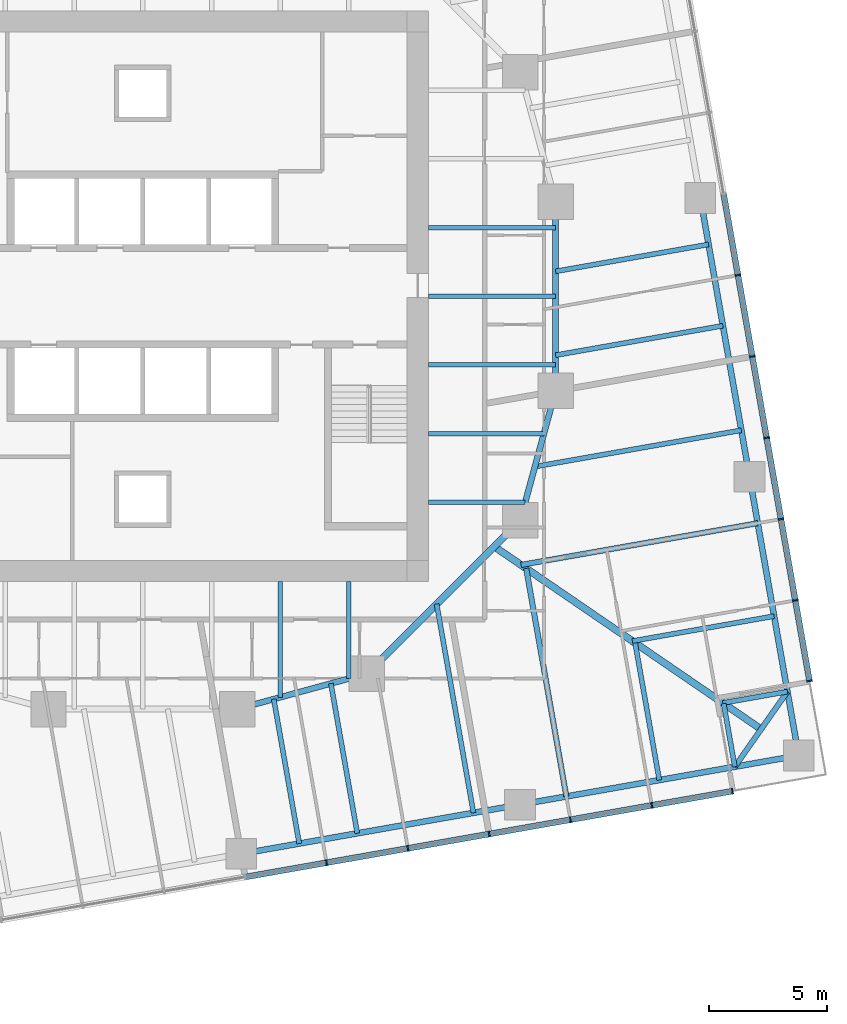
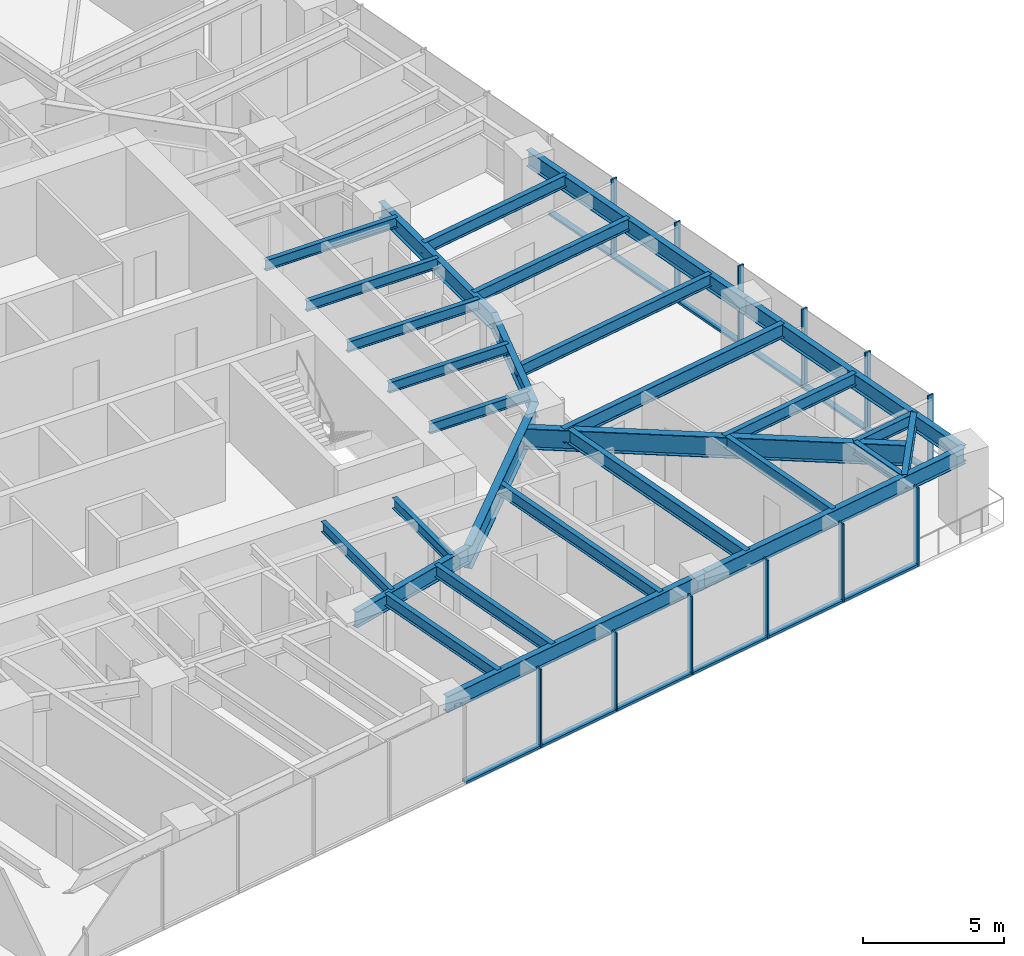
# One storey, part 4 of 14: 29 beams, 24 members, 2 elements without a shape of their own.
"""IFC4 building model written with IfcOpenShell, lengths in metres."""

from ifc_helpers import new_model, si_unit, direction, frame, origin, origin_2d, place, context, subcontext, project, spatial, rectangle, i_section, extrude, material, material_profile, profile_set, type_object, element, aggregate, save


model = new_model("IFC4")

# Units and contexts
model_context = context("Model", 3, precision=1e-05, world=origin(), true_north=direction((0.0, 1.0)))
body_context = subcontext(model_context, "Body", "Model", "MODEL_VIEW")
ifc_project = project(units=[si_unit("LENGTHUNIT", "METRE"), si_unit("AREAUNIT", "SQUARE_METRE"), si_unit("VOLUMEUNIT", "CUBIC_METRE"), si_unit("PLANEANGLEUNIT", "RADIAN"), si_unit("MASSUNIT", "GRAM", prefix="KILO")], contexts=[model_context])

# Site, building, storey
site_placement = place(None, origin())
site = spatial("IfcSite", under=ifc_project, at=site_placement, CompositionType="ELEMENT")
building_placement = place(site_placement, origin())
building = spatial("IfcBuilding", under=site, at=building_placement, Name="Torsade Residences", CompositionType="ELEMENT")
storey_placement = place(building_placement, frame((0.0, 0.0, 89.60009765625)))
storey = spatial("IfcBuildingStorey", under=building, at=storey_placement, Name="L24", CompositionType="ELEMENT", Elevation=89.60009765625)

# Beams
ifc_material_1 = material(Name="Steel grade 300", Category="steel")
ifc_material_profile_1 = material_profile(ifc_material_1, i_section(OverallWidth=0.300048828125, OverallDepth=0.89990234375, WebThickness=0.011962890625, FlangeThickness=0.02490234375, at=origin_2d()), Name="900WB175")
ifc_profile_set_1 = profile_set([ifc_material_profile_1], Name="Steel grade 300")
beam_type_1 = type_object("IfcBeamType", Name="CORNER GIRDER 900WB175", PredefinedType="BEAM", material=ifc_profile_set_1)
beam_1_placement = place(storey_placement, frame((66.2099609375, 11.6474609375, 2.7998046875), z_axis=(-0.825279313977, 0.564724759437, 0.0), x_axis=(-0.564724759437, -0.825279313977, 0.0)))
element("IfcBeam", 1, at=beam_1_placement, inside=storey, type_object=beam_type_1, Name="Corner girder 05 L25", PredefinedType="BEAM", context=body_context, shape_type="SweptSolid", body=[
    extrude(i_section(OverallWidth=0.300048828125, OverallDepth=0.89990234375, WebThickness=0.011962890625, FlangeThickness=0.02490234375, at=origin_2d()), origin(), (0.0, 0.0, 1.0), 13.7138671875),
])
ifc_material_2 = material(Name="Steel grade 300", Category="steel")
ifc_material_profile_2 = material_profile(ifc_material_2, i_section(OverallWidth=0.22802734375, OverallDepth=0.60205078125, WebThickness=0.010498046875, FlangeThickness=0.014892578125, FilletRadius=0.013916015625, at=origin_2d()), Name="610UB101")
ifc_profile_set_2 = profile_set([ifc_material_profile_2], Name="Steel grade 300")
beam_type_2 = type_object("IfcBeamType", Name="CORNER TRIMMER 610UB101", PredefinedType="BEAM", material=ifc_profile_set_2)
beam_2_placement = place(storey_placement, frame((67.325439453125, 13.240478515625, 2.948974609375), z_axis=(-0.573576092373, -0.819152285145, 0.0), x_axis=(0.819152285145, -0.573576092373, 0.0)))
element("IfcBeam", 2, at=beam_2_placement, inside=storey, type_object=beam_type_2, Name="Corner trimmer 05 L25", PredefinedType="BEAM", context=body_context, shape_type="SweptSolid", body=[
    extrude(i_section(OverallWidth=0.22802734375, OverallDepth=0.60205078125, WebThickness=0.010498046875, FlangeThickness=0.014892578125, FilletRadius=0.013916015625, at=origin_2d()), origin(), (0.0, 0.0, 1.0), 3.88916015625),
])

# Curtain wall, members
ifc_material_3 = material(Name="Aluminium and glass", Category="aluminium")
curtain_wall_type = type_object("IfcCurtainWallType", Name="FRITTED GLASS CURTAIN WALL LOW ZONE", PredefinedType="NOTDEFINED", material=ifc_material_3)
curtain_wall_1_placement = place(storey_placement, origin())
curtain_wall_1 = element("IfcCurtainWall", 3, at=curtain_wall_1_placement, inside=storey, type_object=curtain_wall_type, Name="Curtain wall L24 face 1", PredefinedType="NOTDEFINED")
ifc_material_4 = material(Name="Aluminium mullion", Category="aluminium")
ifc_material_profile_3 = material_profile(ifc_material_4, rectangle(XDim=0.25, YDim=0.06494140625, at=origin_2d()), Name="CURTAIN WALL MULLION 250x65")
ifc_profile_set_3 = profile_set([ifc_material_profile_3], Name="Aluminium mullion")
member_type_1 = type_object("IfcMemberType", Name="CURTAIN WALL MULLION 250x65", PredefinedType="MULLION", material=ifc_profile_set_3)
member_1_placement = place(storey_placement, frame((47.7880859375, 5.987548828125, 0.0), z_axis=(0.0, 0.0, 1.0), x_axis=(-0.173648192638, 0.984807750372, 0.0)))
member_1 = element("IfcMember", 4, at=member_1_placement, type_object=member_type_1, Name="Mullion 8", PredefinedType="MULLION", context=body_context, shape_type="SweptSolid", body=[
    extrude(rectangle(XDim=0.25, YDim=0.06494140625, at=origin_2d()), origin(), (0.0, 0.0, 1.0), 3.39990234375),
])
member_2_placement = place(storey_placement, frame((51.23486328125, 6.595458984375, 0.0), z_axis=(0.0, 0.0, 1.0), x_axis=(-0.173648192638, 0.984807750372, 0.0)))
member_2 = element("IfcMember", 5, at=member_2_placement, type_object=member_type_1, Name="Mullion 9", PredefinedType="MULLION", context=body_context, shape_type="SweptSolid", body=[
    extrude(rectangle(XDim=0.25, YDim=0.06494140625, at=origin_2d()), origin(), (0.0, 0.0, 1.0), 3.39990234375),
])
member_3_placement = place(storey_placement, frame((54.681640625, 7.203125, 0.0), z_axis=(0.0, 0.0, 1.0), x_axis=(-0.173648192638, 0.984807750372, 0.0)))
member_3 = element("IfcMember", 6, at=member_3_placement, type_object=member_type_1, Name="Mullion 10", PredefinedType="MULLION", context=body_context, shape_type="SweptSolid", body=[
    extrude(rectangle(XDim=0.25, YDim=0.06494140625, at=origin_2d()), origin(), (0.0, 0.0, 1.0), 3.39990234375),
])
member_4_placement = place(storey_placement, frame((58.12841796875, 7.810791015625, 0.0), z_axis=(0.0, 0.0, 1.0), x_axis=(-0.173648192638, 0.984807750372, 0.0)))
member_4 = element("IfcMember", 7, at=member_4_placement, type_object=member_type_1, Name="Mullion 11", PredefinedType="MULLION", context=body_context, shape_type="SweptSolid", body=[
    extrude(rectangle(XDim=0.25, YDim=0.06494140625, at=origin_2d()), origin(), (0.0, 0.0, 1.0), 3.39990234375),
])
member_5_placement = place(storey_placement, frame((61.575439453125, 8.418701171875, 0.0), z_axis=(0.0, 0.0, 1.0), x_axis=(-0.173648192638, 0.984807750372, 0.0)))
member_5 = element("IfcMember", 8, at=member_5_placement, type_object=member_type_1, Name="Mullion 12", PredefinedType="MULLION", context=body_context, shape_type="SweptSolid", body=[
    extrude(rectangle(XDim=0.25, YDim=0.06494140625, at=origin_2d()), origin(), (0.0, 0.0, 1.0), 3.39990234375),
])
member_6_placement = place(storey_placement, frame((64.990234375, 9.020751953125, 0.0), z_axis=(0.0, 0.0, 1.0), x_axis=(-0.173648192638, 0.984807750372, 0.0)))
member_6 = element("IfcMember", 9, at=member_6_placement, type_object=member_type_1, Name="Mullion 13", PredefinedType="MULLION", context=body_context, shape_type="SweptSolid", body=[
    extrude(rectangle(XDim=0.25, YDim=0.06494140625, at=origin_2d()), origin(), (0.0, 0.0, 1.0), 3.39990234375),
])

curtain_wall_2_placement = place(storey_placement, origin())
curtain_wall_2 = element("IfcCurtainWall", 10, at=curtain_wall_2_placement, inside=storey, type_object=curtain_wall_type, Name="Curtain wall L24 face 4", PredefinedType="NOTDEFINED")
member_7_placement = place(storey_placement, frame((68.26123046875, 13.692138671875, 0.0), z_axis=(0.0, 0.0, 1.0), x_axis=(-0.984807750372, -0.173648192638, 0.0)))
member_7 = element("IfcMember", 11, at=member_7_placement, type_object=member_type_1, Name="Mullion 1", PredefinedType="MULLION", context=body_context, shape_type="SweptSolid", body=[
    extrude(rectangle(XDim=0.25, YDim=0.06494140625, at=origin_2d()), origin(), (0.0, 0.0, 1.0), 3.39990234375),
])
member_8_placement = place(storey_placement, frame((67.658935546875, 17.107177734375, 0.0), z_axis=(0.0, 0.0, 1.0), x_axis=(-0.984807750372, -0.173648192638, 0.0)))
member_8 = element("IfcMember", 12, at=member_8_placement, type_object=member_type_1, Name="Mullion 2", PredefinedType="MULLION", context=body_context, shape_type="SweptSolid", body=[
    extrude(rectangle(XDim=0.25, YDim=0.06494140625, at=origin_2d()), origin(), (0.0, 0.0, 1.0), 3.39990234375),
])
member_9_placement = place(storey_placement, frame((67.05126953125, 20.553955078125, 0.0), z_axis=(0.0, 0.0, 1.0), x_axis=(-0.984807750372, -0.173648192638, 0.0)))
member_9 = element("IfcMember", 13, at=member_9_placement, type_object=member_type_1, Name="Mullion 3", PredefinedType="MULLION", context=body_context, shape_type="SweptSolid", body=[
    extrude(rectangle(XDim=0.25, YDim=0.06494140625, at=origin_2d()), origin(), (0.0, 0.0, 1.0), 3.39990234375),
])
member_10_placement = place(storey_placement, frame((66.443603515625, 24.000732421875, 0.0), z_axis=(0.0, 0.0, 1.0), x_axis=(-0.984807750372, -0.173648192638, 0.0)))
member_10 = element("IfcMember", 14, at=member_10_placement, type_object=member_type_1, Name="Mullion 4", PredefinedType="MULLION", context=body_context, shape_type="SweptSolid", body=[
    extrude(rectangle(XDim=0.25, YDim=0.06494140625, at=origin_2d()), origin(), (0.0, 0.0, 1.0), 3.39990234375),
])
member_11_placement = place(storey_placement, frame((65.835693359375, 27.447509765625, 0.0), z_axis=(0.0, 0.0, 1.0), x_axis=(-0.984807750372, -0.173648192638, 0.0)))
member_11 = element("IfcMember", 15, at=member_11_placement, type_object=member_type_1, Name="Mullion 5", PredefinedType="MULLION", context=body_context, shape_type="SweptSolid", body=[
    extrude(rectangle(XDim=0.25, YDim=0.06494140625, at=origin_2d()), origin(), (0.0, 0.0, 1.0), 3.39990234375),
])
member_12_placement = place(storey_placement, frame((65.22802734375, 30.894287109375, 0.0), z_axis=(0.0, 0.0, 1.0), x_axis=(-0.984807750372, -0.173648192638, 0.0)))
member_12 = element("IfcMember", 16, at=member_12_placement, type_object=member_type_1, Name="Mullion 6", PredefinedType="MULLION", context=body_context, shape_type="SweptSolid", body=[
    extrude(rectangle(XDim=0.25, YDim=0.06494140625, at=origin_2d()), origin(), (0.0, 0.0, 1.0), 3.39990234375),
])

# Member
ifc_material_5 = material(Name="Aluminium transom", Category="aluminium")
ifc_material_profile_4 = material_profile(ifc_material_5, rectangle(XDim=0.25, YDim=0.10009765625, at=origin_2d()), Name="CURTAIN WALL TRANSOM 250x100")
ifc_profile_set_4 = profile_set([ifc_material_profile_4], Name="Aluminium transom")
member_type_2 = type_object("IfcMemberType", Name="CURTAIN WALL TRANSOM 250x100", PredefinedType="USERDEFINED", material=ifc_profile_set_4)
member_13_placement = place(storey_placement, frame((44.373291015625, 5.385498046875, 0.0498046875), z_axis=(0.984810021497, 0.17363531196, 0.0), x_axis=(-0.17363531196, 0.984810021497, 0.0)))
member_13 = element("IfcMember", 17, at=member_13_placement, type_object=member_type_2, Name="Transom 7.1", ObjectType="TRANSOM", PredefinedType="USERDEFINED", context=body_context, shape_type="SweptSolid", body=[
    extrude(rectangle(XDim=0.25, YDim=0.10009765625, at=origin_2d()), origin(), (0.0, 0.0, 1.0), 3.43505859375),
])

member_14_placement = place(storey_placement, frame((47.820068359375, 5.9931640625, 0.0498046875), z_axis=(0.984810021497, 0.17363531196, 0.0), x_axis=(-0.17363531196, 0.984810021497, 0.0)))
member_14 = element("IfcMember", 18, at=member_14_placement, type_object=member_type_2, Name="Transom 8.1", ObjectType="TRANSOM", PredefinedType="USERDEFINED", context=body_context, shape_type="SweptSolid", body=[
    extrude(rectangle(XDim=0.25, YDim=0.10009765625, at=origin_2d()), origin(), (0.0, 0.0, 1.0), 3.43505859375),
])

member_15_placement = place(storey_placement, frame((51.266845703125, 6.60107421875, 0.0498046875), z_axis=(0.984810021497, 0.17363531196, 0.0), x_axis=(-0.17363531196, 0.984810021497, 0.0)))
member_15 = element("IfcMember", 19, at=member_15_placement, type_object=member_type_2, Name="Transom 9.1", ObjectType="TRANSOM", PredefinedType="USERDEFINED", context=body_context, shape_type="SweptSolid", body=[
    extrude(rectangle(XDim=0.25, YDim=0.10009765625, at=origin_2d()), origin(), (0.0, 0.0, 1.0), 3.43505859375),
])

member_16_placement = place(storey_placement, frame((54.713623046875, 7.208740234375, 0.0498046875), z_axis=(0.984810021497, 0.17363531196, 0.0), x_axis=(-0.17363531196, 0.984810021497, 0.0)))
member_16 = element("IfcMember", 20, at=member_16_placement, type_object=member_type_2, Name="Transom 10.1", ObjectType="TRANSOM", PredefinedType="USERDEFINED", context=body_context, shape_type="SweptSolid", body=[
    extrude(rectangle(XDim=0.25, YDim=0.10009765625, at=origin_2d()), origin(), (0.0, 0.0, 1.0), 3.43505859375),
])

member_17_placement = place(storey_placement, frame((58.160400390625, 7.81640625, 0.0498046875), z_axis=(0.98479786563, 0.173704242465, 0.0), x_axis=(-0.173704242465, 0.98479786563, 0.0)))
member_17 = element("IfcMember", 21, at=member_17_placement, type_object=member_type_2, Name="Transom 11.1", ObjectType="TRANSOM", PredefinedType="USERDEFINED", context=body_context, shape_type="SweptSolid", body=[
    extrude(rectangle(XDim=0.25, YDim=0.10009765625, at=origin_2d()), origin(), (0.0, 0.0, 1.0), 3.43505859375),
])

member_18_placement = place(storey_placement, frame((61.607421875, 8.42431640625, 0.0498046875), z_axis=(0.984808830466, 0.173642067011, 0.0), x_axis=(-0.173642067011, 0.984808830466, 0.0)))
member_18 = element("IfcMember", 22, at=member_18_placement, type_object=member_type_2, Name="Transom 12.1", ObjectType="TRANSOM", PredefinedType="USERDEFINED", context=body_context, shape_type="SweptSolid", body=[
    extrude(rectangle(XDim=0.25, YDim=0.10009765625, at=origin_2d()), origin(), (0.0, 0.0, 1.0), 3.402587890625),
])

aggregate(curtain_wall_1, [member_1, member_2, member_3, member_4, member_5, member_6, member_13, member_14, member_15, member_16, member_17, member_18])

member_19_placement = place(storey_placement, frame((68.255615234375, 13.724365234375, 0.0498046875), z_axis=(-0.173654337918, 0.984806666774, 0.0), x_axis=(-0.984806666774, -0.173654337918, 0.0)))
member_19 = element("IfcMember", 23, at=member_19_placement, type_object=member_type_2, Name="Transom 1.1", ObjectType="TRANSOM", PredefinedType="USERDEFINED", context=body_context, shape_type="SweptSolid", body=[
    extrude(rectangle(XDim=0.25, YDim=0.10009765625, at=origin_2d()), origin(), (0.0, 0.0, 1.0), 3.40234375),
])

member_20_placement = place(storey_placement, frame((67.6533203125, 17.13916015625, 0.0498046875), z_axis=(-0.17363531196, 0.984810021497, 0.0), x_axis=(-0.984810021497, -0.17363531196, 0.0)))
member_20 = element("IfcMember", 24, at=member_20_placement, type_object=member_type_2, Name="Transom 2.1", ObjectType="TRANSOM", PredefinedType="USERDEFINED", context=body_context, shape_type="SweptSolid", body=[
    extrude(rectangle(XDim=0.25, YDim=0.10009765625, at=origin_2d()), origin(), (0.0, 0.0, 1.0), 3.43505859375),
])

member_21_placement = place(storey_placement, frame((67.045654296875, 20.5859375, 0.0498046875), z_axis=(-0.17363531196, 0.984810021497, 0.0), x_axis=(-0.984810021497, -0.17363531196, 0.0)))
member_21 = element("IfcMember", 25, at=member_21_placement, type_object=member_type_2, Name="Transom 3.1", ObjectType="TRANSOM", PredefinedType="USERDEFINED", context=body_context, shape_type="SweptSolid", body=[
    extrude(rectangle(XDim=0.25, YDim=0.10009765625, at=origin_2d()), origin(), (0.0, 0.0, 1.0), 3.43505859375),
])

member_22_placement = place(storey_placement, frame((66.437744140625, 24.03271484375, 0.0498046875), z_axis=(-0.17363531196, 0.984810021497, 0.0), x_axis=(-0.984810021497, -0.17363531196, 0.0)))
member_22 = element("IfcMember", 26, at=member_22_placement, type_object=member_type_2, Name="Transom 4.1", ObjectType="TRANSOM", PredefinedType="USERDEFINED", context=body_context, shape_type="SweptSolid", body=[
    extrude(rectangle(XDim=0.25, YDim=0.10009765625, at=origin_2d()), origin(), (0.0, 0.0, 1.0), 3.43505859375),
])

member_23_placement = place(storey_placement, frame((65.830078125, 27.4794921875, 0.0498046875), z_axis=(-0.17363531196, 0.984810021497, 0.0), x_axis=(-0.984810021497, -0.17363531196, 0.0)))
member_23 = element("IfcMember", 27, at=member_23_placement, type_object=member_type_2, Name="Transom 5.1", ObjectType="TRANSOM", PredefinedType="USERDEFINED", context=body_context, shape_type="SweptSolid", body=[
    extrude(rectangle(XDim=0.25, YDim=0.10009765625, at=origin_2d()), origin(), (0.0, 0.0, 1.0), 3.43505859375),
])

member_24_placement = place(storey_placement, frame((65.222412109375, 30.92626953125, 0.0498046875), z_axis=(-0.173704242465, 0.98479786563, 0.0), x_axis=(-0.98479786563, -0.173704242465, 0.0)))
member_24 = element("IfcMember", 28, at=member_24_placement, type_object=member_type_2, Name="Transom 6.1", ObjectType="TRANSOM", PredefinedType="USERDEFINED", context=body_context, shape_type="SweptSolid", body=[
    extrude(rectangle(XDim=0.25, YDim=0.10009765625, at=origin_2d()), origin(), (0.0, 0.0, 1.0), 3.43505859375),
])

aggregate(curtain_wall_2, [member_7, member_8, member_9, member_10, member_11, member_12, member_19, member_20, member_21, member_22, member_23, member_24])

# Beams
ifc_material_6 = material(Name="Steel grade 300", Category="steel")
ifc_material_profile_5 = material_profile(ifc_material_6, i_section(OverallWidth=0.25, OverallDepth=0.699951171875, WebThickness=0.010009765625, FlangeThickness=0.02001953125, at=origin_2d()), Name="700WB130")
ifc_profile_set_5 = profile_set([ifc_material_profile_5], Name="Steel grade 300")
beam_type_3 = type_object("IfcBeamType", Name="EDGE BEAM 700WB130", PredefinedType="SPANDREL", material=ifc_profile_set_5)
beam_3_placement = place(storey_placement, frame((44.16748046875, 6.364501953125, 2.89990234375), z_axis=(0.984805261243, 0.173662308598, 0.0), x_axis=(-0.173662308598, 0.984805261243, 0.0)))
element("IfcBeam", 29, at=beam_3_placement, inside=storey, type_object=beam_type_3, Name="Edge beam 03 L25", PredefinedType="SPANDREL", context=body_context, shape_type="SweptSolid", body=[
    extrude(i_section(OverallWidth=0.25, OverallDepth=0.699951171875, WebThickness=0.010009765625, FlangeThickness=0.02001953125, at=origin_2d()), origin(), (0.0, 0.0, 1.0), 12.000244140625),
])
for number, where, z_axis, x_axis, name in (
    (30, (55.9853515625, 8.448486328125, 2.89990234375), (0.984808127031, 0.173646056486, 0.0), (-0.173646056486, 0.984808127031, 0.0), "Edge beam 04 L25"),
    (31, (67.802978515625, 10.5322265625, 2.89990234375), (-0.173646056486, 0.984808127031, 0.0), (-0.984808127031, -0.173646056486, 0.0), "Edge beam 05 L25"),
    (32, (65.71923828125, 22.349853515625, 2.89990234375), (-0.173646056486, 0.984808127031, 0.0), (-0.984808127031, -0.173646056486, 0.0), "Edge beam 06 L25"),
):
    element("IfcBeam", number, at=place(storey_placement, frame(where, z_axis=z_axis, x_axis=x_axis)), inside=storey, type_object=beam_type_3, Name=name, PredefinedType="SPANDREL", context=body_context, shape_type="SweptSolid", body=[
        extrude(i_section(OverallWidth=0.25, OverallDepth=0.699951171875, WebThickness=0.010009765625, FlangeThickness=0.02001953125, at=origin_2d()), origin(), (0.0, 0.0, 1.0), 12.0),
    ])
ifc_material_7 = material(Name="Steel grade 300", Category="steel")
ifc_material_profile_6 = material_profile(ifc_material_7, i_section(OverallWidth=0.18994140625, OverallDepth=0.4541015625, WebThickness=0.008544921875, FlangeThickness=0.0126953125, FilletRadius=0.011474609375, at=origin_2d()), Name="460UB67.1")
ifc_profile_set_6 = profile_set([ifc_material_profile_6], Name="Steel grade 300")
beam_type_4 = type_object("IfcBeamType", Name="INNER FLOOR BEAM 460UB67.1", PredefinedType="JOIST", material=ifc_profile_set_6)
beam_4_placement = place(storey_placement, frame((48.737548828125, 17.89990234375, 3.02294921875), z_axis=(0.0, -1.0, 0.0), x_axis=(1.0, 0.0, 0.0)))
element("IfcBeam", 33, at=beam_4_placement, inside=storey, type_object=beam_type_4, Name="Inner floor beam IS01 L25", PredefinedType="JOIST", context=body_context, shape_type="SweptSolid", body=[
    extrude(i_section(OverallWidth=0.18994140625, OverallDepth=0.4541015625, WebThickness=0.008544921875, FlangeThickness=0.0126953125, FilletRadius=0.011474609375, at=origin_2d()), origin(), (0.0, 0.0, 1.0), 4.10791015625),
])
beam_5_placement = place(storey_placement, frame((45.824951171875, 17.89990234375, 3.02294921875), z_axis=(0.0, -1.0, 0.0), x_axis=(1.0, 0.0, 0.0)))
element("IfcBeam", 34, at=beam_5_placement, inside=storey, type_object=beam_type_4, Name="Inner floor beam IS02 L25", PredefinedType="JOIST", context=body_context, shape_type="SweptSolid", body=[
    extrude(i_section(OverallWidth=0.18994140625, OverallDepth=0.4541015625, WebThickness=0.008544921875, FlangeThickness=0.0126953125, FilletRadius=0.011474609375, at=origin_2d()), origin(), (0.0, 0.0, 1.0), 4.902099609375),
])
beam_6_placement = place(storey_placement, frame((52.10009765625, 21.262451171875, 3.02294921875), z_axis=(1.0, 0.0, 0.0), x_axis=(0.0, 1.0, 0.0)))
element("IfcBeam", 35, at=beam_6_placement, inside=storey, type_object=beam_type_4, Name="Inner floor beam IE01 L25", PredefinedType="JOIST", context=body_context, shape_type="SweptSolid", body=[
    extrude(i_section(OverallWidth=0.18994140625, OverallDepth=0.4541015625, WebThickness=0.008544921875, FlangeThickness=0.0126953125, FilletRadius=0.011474609375, at=origin_2d()), origin(), (0.0, 0.0, 1.0), 4.10791015625),
])
beam_7_placement = place(storey_placement, frame((52.10009765625, 24.175048828125, 3.02294921875), z_axis=(1.0, 0.0, 0.0), x_axis=(0.0, 1.0, 0.0)))
element("IfcBeam", 36, at=beam_7_placement, inside=storey, type_object=beam_type_4, Name="Inner floor beam IE02 L25", PredefinedType="JOIST", context=body_context, shape_type="SweptSolid", body=[
    extrude(i_section(OverallWidth=0.18994140625, OverallDepth=0.4541015625, WebThickness=0.008544921875, FlangeThickness=0.0126953125, FilletRadius=0.011474609375, at=origin_2d()), origin(), (0.0, 0.0, 1.0), 4.902099609375),
])
for number, where, z_axis, x_axis, name in (
    (37, (52.10009765625, 27.08740234375, 3.02294921875), (1.0, 0.0, 0.0), (0.0, 1.0, 0.0), "Inner floor beam IE03 L25"),
    (38, (52.10009765625, 30.0, 3.02294921875), (1.0, 0.0, 0.0), (0.0, 1.0, 0.0), "Inner floor beam IE04 L25"),
    (39, (52.10009765625, 32.91259765625, 3.02294921875), (1.0, 0.0, 0.0), (0.0, 1.0, 0.0), "Inner floor beam IE05 L25"),
):
    element("IfcBeam", number, at=place(storey_placement, frame(where, z_axis=z_axis, x_axis=x_axis)), inside=storey, type_object=beam_type_4, Name=name, PredefinedType="JOIST", context=body_context, shape_type="SweptSolid", body=[
        extrude(i_section(OverallWidth=0.18994140625, OverallDepth=0.4541015625, WebThickness=0.008544921875, FlangeThickness=0.0126953125, FilletRadius=0.011474609375, at=origin_2d()), origin(), (0.0, 0.0, 1.0), 5.39990234375),
    ])
ifc_material_8 = material(Name="Steel grade 300", Category="steel")
ifc_material_profile_7 = material_profile(ifc_material_8, i_section(OverallWidth=0.300048828125, OverallDepth=1.0, WebThickness=0.01611328125, FlangeThickness=0.028076171875, at=origin_2d()), Name="1000WB215")
ifc_profile_set_7 = profile_set([ifc_material_profile_7], Name="Steel grade 300")
beam_type_5 = type_object("IfcBeamType", Name="RING CORNER GIRDER 1000WB215", PredefinedType="BEAM", material=ifc_profile_set_7)
beam_8_placement = place(storey_placement, frame((49.5, 14.0, 2.75), z_axis=(0.707106781187, 0.707106781187, 0.0), x_axis=(-0.707106781187, 0.707106781187, 0.0)))
element("IfcBeam", 40, at=beam_8_placement, inside=storey, type_object=beam_type_5, Name="Ring girder IR15 L25", PredefinedType="BEAM", context=body_context, shape_type="SweptSolid", body=[
    extrude(i_section(OverallWidth=0.300048828125, OverallDepth=1.0, WebThickness=0.01611328125, FlangeThickness=0.028076171875, at=origin_2d()), origin(), (0.0, 0.0, 1.0), 9.1923828125),
])
ifc_material_9 = material(Name="Steel grade 300", Category="steel")
ifc_material_profile_8 = material_profile(ifc_material_9, i_section(OverallWidth=0.25, OverallDepth=0.699951171875, WebThickness=0.010009765625, FlangeThickness=0.02001953125, at=origin_2d()), Name="700WB130")
ifc_profile_set_8 = profile_set([ifc_material_profile_8], Name="Steel grade 300")
beam_type_6 = type_object("IfcBeamType", Name="RING GIRDER 700WB130", PredefinedType="BEAM", material=ifc_profile_set_8)
beam_9_placement = place(storey_placement, frame((57.5, 26.0, 2.89990234375), z_axis=(0.0, 1.0, 0.0), x_axis=(-1.0, 0.0, 0.0)))
element("IfcBeam", 41, at=beam_9_placement, inside=storey, type_object=beam_type_6, Name="Ring girder IR01 L25", PredefinedType="BEAM", context=body_context, shape_type="SweptSolid", body=[
    extrude(i_section(OverallWidth=0.25, OverallDepth=0.699951171875, WebThickness=0.010009765625, FlangeThickness=0.02001953125, at=origin_2d()), origin(), (0.0, 0.0, 1.0), 8.0),
])
for number, where, z_axis, x_axis, name in (
    (42, (44.0, 12.5, 2.89990234375), (0.964763821238, 0.263117405792, 0.0), (-0.263117405792, 0.964763821238, 0.0), "Ring girder IR14 L25"),
    (43, (56.0, 20.5, 2.89990234375), (0.263117405792, 0.964763821238, 0.0), (-0.964763821238, 0.263117405792, 0.0), "Ring girder IR16 L25"),
):
    element("IfcBeam", number, at=place(storey_placement, frame(where, z_axis=z_axis, x_axis=x_axis)), inside=storey, type_object=beam_type_6, Name=name, PredefinedType="BEAM", context=body_context, shape_type="SweptSolid", body=[
        extrude(i_section(OverallWidth=0.25, OverallDepth=0.699951171875, WebThickness=0.010009765625, FlangeThickness=0.02001953125, at=origin_2d()), origin(), (0.0, 0.0, 1.0), 5.700927734375),
    ])
ifc_material_10 = material(Name="Steel grade 300", Category="steel")
ifc_material_profile_9 = material_profile(ifc_material_10, i_section(OverallWidth=0.208984375, OverallDepth=0.528076171875, WebThickness=0.009521484375, FlangeThickness=0.01318359375, FilletRadius=0.013916015625, at=origin_2d()), Name="530UB82.0")
ifc_profile_set_9 = profile_set([ifc_material_profile_9], Name="Steel grade 300")
beam_type_7 = type_object("IfcBeamType", Name="SECONDARY BEAM 530UB82.0", PredefinedType="JOIST", material=ifc_profile_set_9)
beam_10_placement = place(storey_placement, frame((46.629638671875, 6.798828125, 2.98583984375), z_axis=(-0.173655425542, 0.984806474989, 0.0), x_axis=(-0.984806474989, -0.173655425542, 0.0)))
element("IfcBeam", 44, at=beam_10_placement, inside=storey, type_object=beam_type_7, Name="Floor beam FS07 L25", PredefinedType="JOIST", context=body_context, shape_type="SweptSolid", body=[
    extrude(i_section(OverallWidth=0.208984375, OverallDepth=0.528076171875, WebThickness=0.009521484375, FlangeThickness=0.01318359375, FilletRadius=0.013916015625, at=origin_2d()), origin(), (0.0, 0.0, 1.0), 6.21826171875),
])
beam_11_placement = place(storey_placement, frame((49.091552734375, 7.23291015625, 2.98583984375), z_axis=(-0.17363198078, 0.984810608823, 0.0), x_axis=(-0.984810608823, -0.17363198078, 0.0)))
element("IfcBeam", 45, at=beam_11_placement, inside=storey, type_object=beam_type_7, Name="Floor beam FS08 L25", PredefinedType="JOIST", context=body_context, shape_type="SweptSolid", body=[
    extrude(i_section(OverallWidth=0.208984375, OverallDepth=0.528076171875, WebThickness=0.009521484375, FlangeThickness=0.01318359375, FilletRadius=0.013916015625, at=origin_2d()), origin(), (0.0, 0.0, 1.0), 6.4482421875),
])
beam_12_placement = place(storey_placement, frame((54.015625, 8.10107421875, 2.98583984375), z_axis=(-0.173639706679, 0.984809246638, 0.0), x_axis=(-0.984809246638, -0.173639706679, 0.0)))
element("IfcBeam", 46, at=beam_12_placement, inside=storey, type_object=beam_type_7, Name="Floor beam FS09 L25", PredefinedType="JOIST", context=body_context, shape_type="SweptSolid", body=[
    extrude(i_section(OverallWidth=0.208984375, OverallDepth=0.528076171875, WebThickness=0.009521484375, FlangeThickness=0.01318359375, FilletRadius=0.013916015625, at=origin_2d()), origin(), (0.0, 0.0, 1.0), 8.989990234375),
])
beam_13_placement = place(storey_placement, frame((61.89404296875, 9.490234375, 2.98583984375), z_axis=(-0.173629569808, 0.984811033899, 0.0), x_axis=(-0.984811033899, -0.173629569808, 0.0)))
element("IfcBeam", 47, at=beam_13_placement, inside=storey, type_object=beam_type_7, Name="Floor beam FS11 L25", PredefinedType="JOIST", context=body_context, shape_type="SweptSolid", body=[
    extrude(i_section(OverallWidth=0.208984375, OverallDepth=0.528076171875, WebThickness=0.009521484375, FlangeThickness=0.01318359375, FilletRadius=0.013916015625, at=origin_2d()), origin(), (0.0, 0.0, 1.0), 5.9013671875),
])
beam_14_placement = place(storey_placement, frame((65.0947265625, 10.0546875, 2.98583984375), z_axis=(-0.17364710834, 0.984807941563, 0.0), x_axis=(-0.984807941563, -0.17364710834, 0.0)))
element("IfcBeam", 48, at=beam_14_placement, inside=storey, type_object=beam_type_7, Name="Floor beam FS12 L25", PredefinedType="JOIST", context=body_context, shape_type="SweptSolid", body=[
    extrude(i_section(OverallWidth=0.208984375, OverallDepth=0.528076171875, WebThickness=0.009521484375, FlangeThickness=0.01318359375, FilletRadius=0.013916015625, at=origin_2d()), origin(), (0.0, 0.0, 1.0), 2.720458984375),
])
beam_15_placement = place(storey_placement, frame((67.325439453125, 13.240478515625, 2.98583984375), z_axis=(-0.984797700832, -0.173705176765, 0.0), x_axis=(0.173705176765, -0.984797700832, 0.0)))
element("IfcBeam", 49, at=beam_15_placement, inside=storey, type_object=beam_type_7, Name="Floor beam FE01 L25", PredefinedType="JOIST", context=body_context, shape_type="SweptSolid", body=[
    extrude(i_section(OverallWidth=0.208984375, OverallDepth=0.528076171875, WebThickness=0.009521484375, FlangeThickness=0.01318359375, FilletRadius=0.013916015625, at=origin_2d()), origin(), (0.0, 0.0, 1.0), 2.780029296875),
])
beam_16_placement = place(storey_placement, frame((66.760986328125, 16.44091796875, 2.98583984375), z_axis=(-0.984809331556, -0.173639225065, 0.0), x_axis=(0.173639225065, -0.984809331556, 0.0)))
element("IfcBeam", 50, at=beam_16_placement, inside=storey, type_object=beam_type_7, Name="Floor beam FE02 L25", PredefinedType="JOIST", context=body_context, shape_type="SweptSolid", body=[
    extrude(i_section(OverallWidth=0.208984375, OverallDepth=0.528076171875, WebThickness=0.009521484375, FlangeThickness=0.01318359375, FilletRadius=0.013916015625, at=origin_2d()), origin(), (0.0, 0.0, 1.0), 6.100830078125),
])
beam_17_placement = place(storey_placement, frame((65.371826171875, 24.319580078125, 2.98583984375), z_axis=(-0.984804296147, -0.173667781384, 0.0), x_axis=(0.173667781384, -0.984804296147, 0.0)))
element("IfcBeam", 51, at=beam_17_placement, inside=storey, type_object=beam_type_7, Name="Floor beam FE04 L25", PredefinedType="JOIST", context=body_context, shape_type="SweptSolid", body=[
    extrude(i_section(OverallWidth=0.208984375, OverallDepth=0.528076171875, WebThickness=0.009521484375, FlangeThickness=0.01318359375, FilletRadius=0.013916015625, at=origin_2d()), origin(), (0.0, 0.0, 1.0), 8.885986328125),
])
beam_18_placement = place(storey_placement, frame((64.59033203125, 28.751220703125, 2.98583984375), z_axis=(-0.984807104535, -0.173651855324, 0.0), x_axis=(0.173651855324, -0.984807104535, 0.0)))
element("IfcBeam", 52, at=beam_18_placement, inside=storey, type_object=beam_type_7, Name="Floor beam FE05 L25", PredefinedType="JOIST", context=body_context, shape_type="SweptSolid", body=[
    extrude(i_section(OverallWidth=0.208984375, OverallDepth=0.528076171875, WebThickness=0.009521484375, FlangeThickness=0.01318359375, FilletRadius=0.013916015625, at=origin_2d()), origin(), (0.0, 0.0, 1.0), 7.19970703125),
])
beam_19_placement = place(storey_placement, frame((63.982666015625, 32.197998046875, 2.98583984375), z_axis=(-0.984807818459, -0.173647806501, 0.0), x_axis=(0.173647806501, -0.984807818459, 0.0)))
element("IfcBeam", 53, at=beam_19_placement, inside=storey, type_object=beam_type_7, Name="Floor beam FE06 L25", PredefinedType="JOIST", context=body_context, shape_type="SweptSolid", body=[
    extrude(i_section(OverallWidth=0.208984375, OverallDepth=0.528076171875, WebThickness=0.009521484375, FlangeThickness=0.01318359375, FilletRadius=0.013916015625, at=origin_2d()), origin(), (0.0, 0.0, 1.0), 6.582763671875),
])
ifc_material_11 = material(Name="Steel grade 300", Category="steel")
ifc_material_profile_10 = material_profile(ifc_material_11, i_section(OverallWidth=0.22900390625, OverallDepth=0.612060546875, WebThickness=0.011962890625, FlangeThickness=0.01953125, FilletRadius=0.013916015625, at=origin_2d()), Name="610UB125")
ifc_profile_set_10 = profile_set([ifc_material_profile_10], Name="Steel grade 300")
beam_type_8 = type_object("IfcBeamType", Name="SECONDARY BEAM 610UB125", PredefinedType="JOIST", material=ifc_profile_set_10)
beam_20_placement = place(storey_placement, frame((57.954833984375, 8.795654296875, 2.94384765625), z_axis=(-0.173651961637, 0.984807085789, 0.0), x_axis=(-0.984807085789, -0.173651961637, 0.0)))
element("IfcBeam", 54, at=beam_20_placement, inside=storey, type_object=beam_type_8, Name="Floor beam FS10 L25", PredefinedType="JOIST", context=body_context, shape_type="SweptSolid", body=[
    extrude(i_section(OverallWidth=0.22900390625, OverallDepth=0.612060546875, WebThickness=0.011962890625, FlangeThickness=0.01953125, FilletRadius=0.013916015625, at=origin_2d()), origin(), (0.0, 0.0, 1.0), 9.816162109375),
])
beam_21_placement = place(storey_placement, frame((66.06640625, 20.380126953125, 2.94384765625), z_axis=(-0.984808397525, -0.173644522411, 0.0), x_axis=(0.173644522411, -0.984808397525, 0.0)))
element("IfcBeam", 55, at=beam_21_placement, inside=storey, type_object=beam_type_8, Name="Floor beam FE03 L25", PredefinedType="JOIST", context=body_context, shape_type="SweptSolid", body=[
    extrude(i_section(OverallWidth=0.22900390625, OverallDepth=0.612060546875, WebThickness=0.011962890625, FlangeThickness=0.01953125, FilletRadius=0.013916015625, at=origin_2d()), origin(), (0.0, 0.0, 1.0), 10.187744140625),
])

save(model, "model.ifc")
